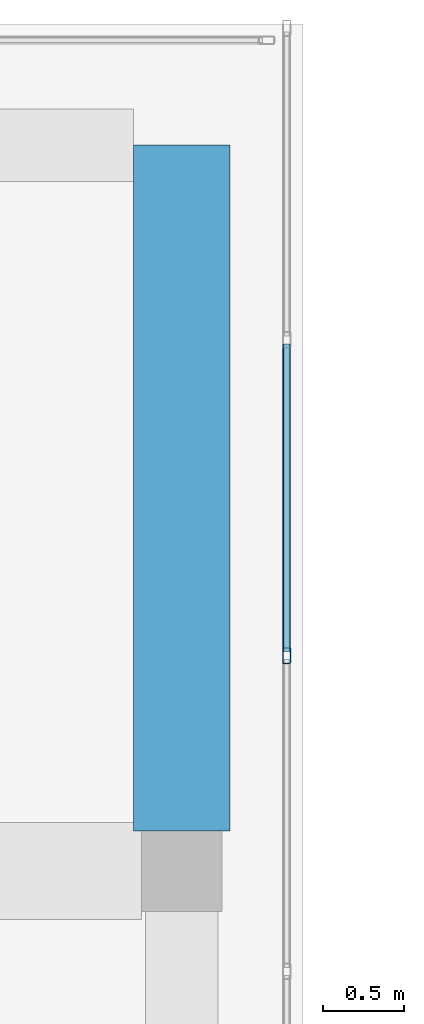
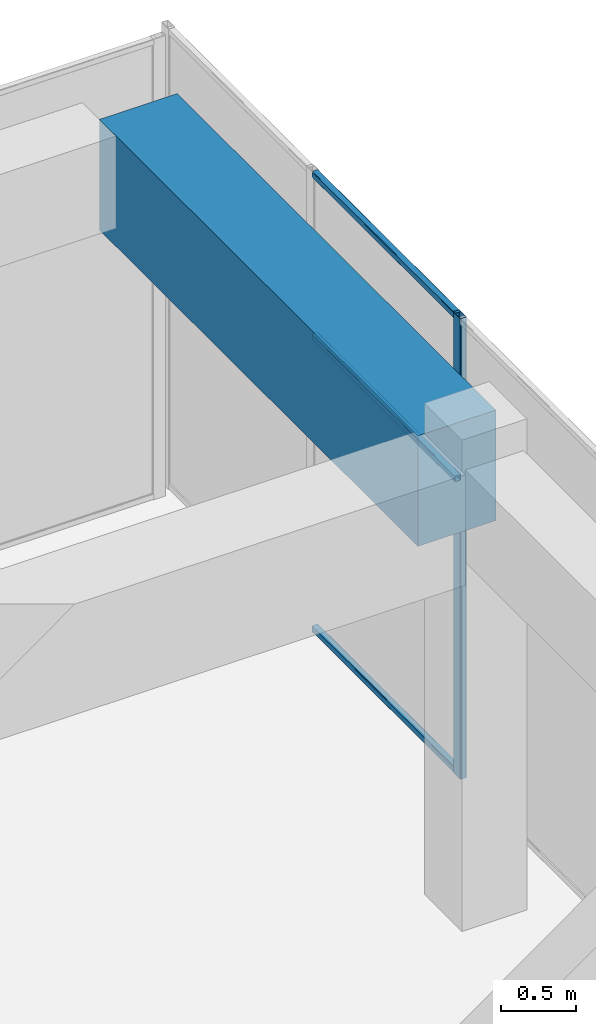
# One storey, part 25 of 34: 4 members, 1 beam, 1 element without a shape of its own.
"""IFC4 building model written with IfcOpenShell, lengths in metres."""

from ifc_helpers import new_model, si_unit, direction, frame, origin, origin_2d, place, context, subcontext, project, spatial, rectangle, hollow_rectangle, extrude, material, layer, layer_set, material_profile, profile_set, type_object, element, aggregate, save


model = new_model("IFC4")

# Units and contexts
model_context = context("Model", 3, precision=1e-05, world=origin(), true_north=direction((0.0, 1.0)))
body_context = subcontext(model_context, "Body", "Model", "MODEL_VIEW")
ifc_project = project(units=[si_unit("LENGTHUNIT", "METRE"), si_unit("AREAUNIT", "SQUARE_METRE"), si_unit("VOLUMEUNIT", "CUBIC_METRE"), si_unit("PLANEANGLEUNIT", "RADIAN"), si_unit("MASSUNIT", "GRAM", prefix="KILO")], contexts=[model_context])

# Site, building, storey
site_placement = place(None, origin())
site = spatial("IfcSite", under=ifc_project, at=site_placement, CompositionType="ELEMENT")
building_placement = place(site_placement, origin())
building = spatial("IfcBuilding", under=site, at=building_placement, Name="Tuart Plaza Theatre", CompositionType="ELEMENT")
storey_placement = place(building_placement, frame((0.0, 0.0, 53.5)))
storey = spatial("IfcBuildingStorey", under=building, at=storey_placement, Name="L13", CompositionType="ELEMENT", Elevation=53.5)

# Beam
ifc_material_1 = material(Name="Concrete N40 (40 MPa)", Category="concrete")
ifc_material_profile_1 = material_profile(ifc_material_1, rectangle(XDim=0.60009765625, YDim=0.89990234375, at=origin_2d()), Name="BEAM 600x900 Concrete N40 (40 MPa)")
ifc_profile_set_1 = profile_set([ifc_material_profile_1], Name="Concrete N40 (40 MPa)")
beam_type = type_object("IfcBeamType", Name="BEAM 600x900 Concrete N40 (40 MPa)", PredefinedType="BEAM", material=ifc_profile_set_1)
beam_placement = place(storey_placement, frame((141.0, 92.25, 3.300048828125), z_axis=(0.0, 1.0, 0.0), x_axis=(-1.0, 0.0, 0.0)))
element("IfcBeam", 1, at=beam_placement, inside=storey, type_object=beam_type, Name="RB341", PredefinedType="BEAM", context=body_context, shape_type="SweptSolid", body=[
    extrude(rectangle(XDim=0.60009765625, YDim=0.89990234375, at=origin_2d()), origin(), (0.0, 0.0, 1.0), 4.25),
])

# Curtain wall, members
ifc_material_2 = material(Name="Aluminium and glass", Category="aluminium")
ifc_layer = layer(ifc_material_2, 0.10009765625)
ifc_layer_set = layer_set([ifc_layer], Name="CURTAIN WALL 2000 module")
curtain_wall_type = type_object("IfcCurtainWallType", Name="CURTAIN WALL 2000 module", PredefinedType="NOTDEFINED", material=ifc_layer_set)
curtain_wall_placement = place(storey_placement, origin())
curtain_wall = element("IfcCurtainWall", 2, at=curtain_wall_placement, inside=storey, type_object=curtain_wall_type, Name="CW116", PredefinedType="NOTDEFINED")
ifc_material_3 = material(Name="Aluminium 6063-T5", Category="aluminium")
ifc_material_profile_2 = material_profile(ifc_material_3, hollow_rectangle(XDim=0.050048828125, YDim=0.10009765625, WallThickness=0.00390625, InnerFilletRadius=0.00390625, OuterFilletRadius=0.008056640625, at=origin_2d()), Name="RHS 100x50x4")
ifc_profile_set_2 = profile_set([ifc_material_profile_2], Name="Aluminium 6063-T5")
member_type_1 = type_object("IfcMemberType", Name="MULLION RHS 100x50x4", PredefinedType="MULLION", material=ifc_profile_set_2)
member_1_placement = place(storey_placement, frame((141.64990234375, 93.335693359375, 0.0), z_axis=(0.0, 0.0, 1.0), x_axis=(-1.0, 0.0, 0.0)))
member_1 = element("IfcMember", 3, at=member_1_placement, type_object=member_type_1, Name="CW116 mullion 6", PredefinedType="MULLION", context=body_context, shape_type="SweptSolid", body=[
    extrude(hollow_rectangle(XDim=0.050048828125, YDim=0.10009765625, WallThickness=0.00390625, InnerFilletRadius=0.00390625, OuterFilletRadius=0.008056640625, at=origin_2d()), origin(), (0.0, 0.0, 1.0), 3.75),
])
ifc_material_4 = material(Name="Aluminium 6063-T5", Category="aluminium")
ifc_material_profile_3 = material_profile(ifc_material_4, hollow_rectangle(XDim=0.050048828125, YDim=0.050048828125, WallThickness=0.00390625, InnerFilletRadius=0.00390625, OuterFilletRadius=0.008056640625, at=origin_2d()), Name="RHS 50x50x4")
ifc_profile_set_3 = profile_set([ifc_material_profile_3], Name="Aluminium 6063-T5")
member_type_2 = type_object("IfcMemberType", Name="TRANSOM RHS 50x50x4", PredefinedType="USERDEFINED", material=ifc_profile_set_3)
member_2_placement = place(storey_placement, frame((141.64990234375, 93.360595703125, 0.02490234375), z_axis=(0.0, 1.0, 0.0), x_axis=(-1.0, 0.0, 0.0)))
member_2 = element("IfcMember", 4, at=member_2_placement, type_object=member_type_2, Name="CW116 transom 6.1", ObjectType="TRANSOM", PredefinedType="USERDEFINED", context=body_context, shape_type="SweptSolid", body=[
    extrude(hollow_rectangle(XDim=0.050048828125, YDim=0.050048828125, WallThickness=0.00390625, InnerFilletRadius=0.00390625, OuterFilletRadius=0.008056640625, at=origin_2d()), origin(), (0.0, 0.0, 1.0), 1.9072265625),
])
member_3_placement = place(storey_placement, frame((141.64990234375, 93.360595703125, 2.39990234375), z_axis=(0.0, 1.0, 0.0), x_axis=(-1.0, 0.0, 0.0)))
member_3 = element("IfcMember", 5, at=member_3_placement, type_object=member_type_2, Name="CW116 transom 6.2", ObjectType="TRANSOM", PredefinedType="USERDEFINED", context=body_context, shape_type="SweptSolid", body=[
    extrude(hollow_rectangle(XDim=0.050048828125, YDim=0.050048828125, WallThickness=0.00390625, InnerFilletRadius=0.00390625, OuterFilletRadius=0.008056640625, at=origin_2d()), origin(), (0.0, 0.0, 1.0), 1.9072265625),
])
member_4_placement = place(storey_placement, frame((141.64990234375, 93.360595703125, 3.72509765625), z_axis=(0.0, 1.0, 0.0), x_axis=(-1.0, 0.0, 0.0)))
member_4 = element("IfcMember", 6, at=member_4_placement, type_object=member_type_2, Name="CW116 transom 6.3", ObjectType="TRANSOM", PredefinedType="USERDEFINED", context=body_context, shape_type="SweptSolid", body=[
    extrude(hollow_rectangle(XDim=0.050048828125, YDim=0.050048828125, WallThickness=0.00390625, InnerFilletRadius=0.00390625, OuterFilletRadius=0.008056640625, at=origin_2d()), origin(), (0.0, 0.0, 1.0), 1.9072265625),
])
aggregate(curtain_wall, [member_1, member_2, member_3, member_4])

save(model, "model.ifc")
